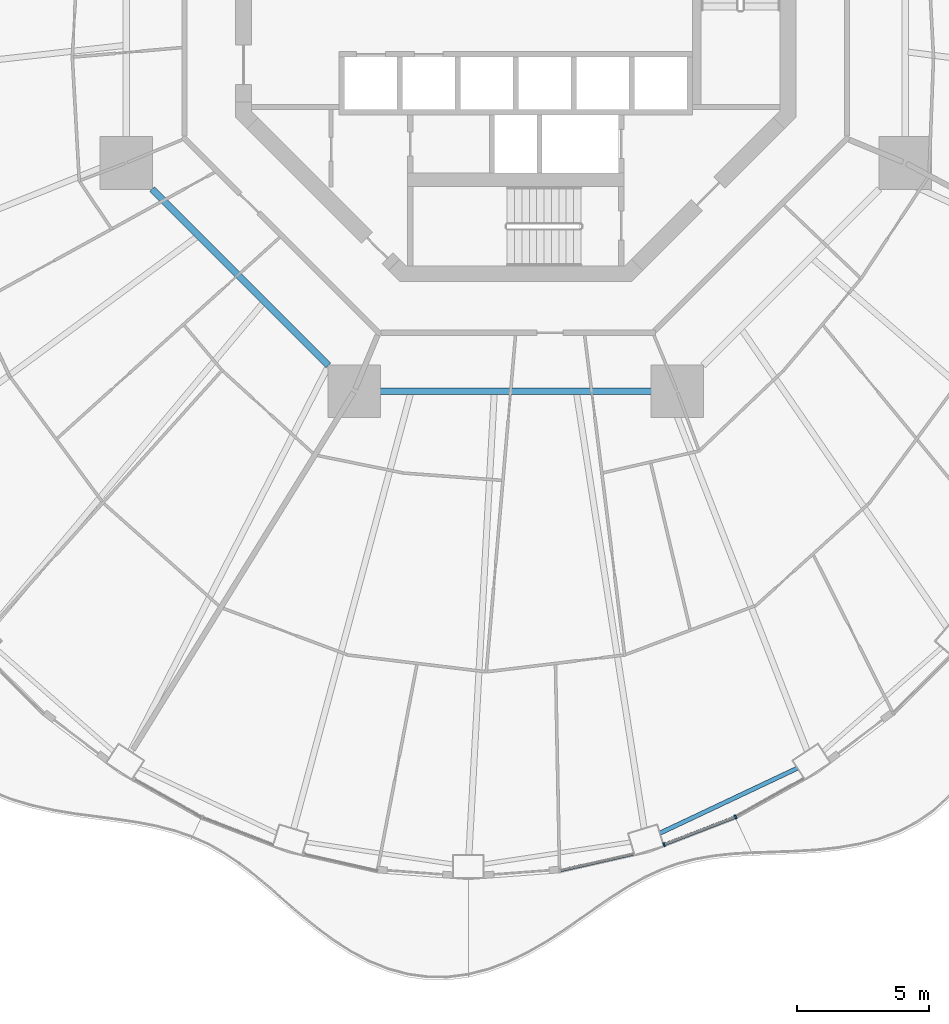
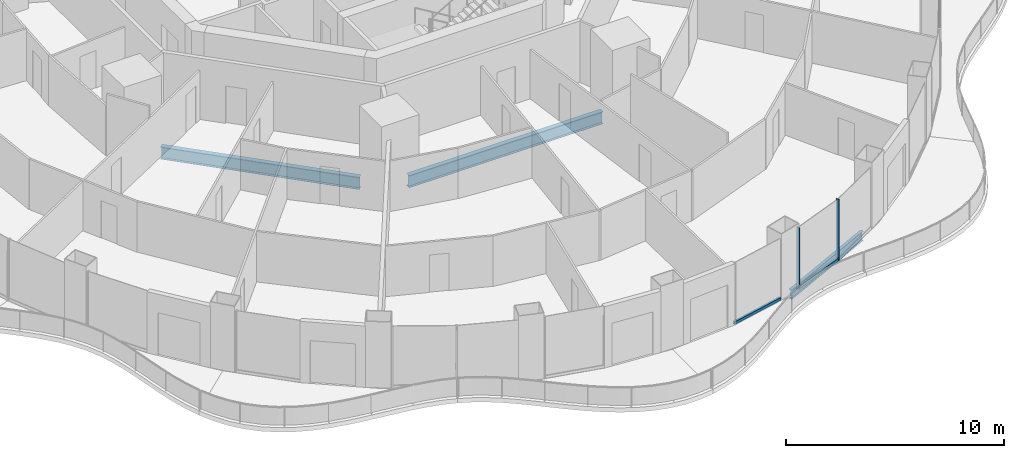
# One storey, part 5 of 21: 4 members, 3 beams, 3 elements without a shape of their own.
"""IFC4 building model written with IfcOpenShell, lengths in metres."""

from ifc_helpers import new_model, si_unit, direction, frame, origin, origin_2d, place, context, subcontext, project, spatial, rectangle, i_section, extrude, material, layer, layer_set, material_profile, profile_set, type_object, element, aggregate, save


model = new_model("IFC4")

# Units and contexts
model_context = context("Model", 3, precision=1e-05, world=origin(), true_north=direction((0.0, 1.0)))
body_context = subcontext(model_context, "Body", "Model", "MODEL_VIEW")
ifc_project = project(units=[si_unit("LENGTHUNIT", "METRE"), si_unit("AREAUNIT", "SQUARE_METRE"), si_unit("VOLUMEUNIT", "CUBIC_METRE"), si_unit("PLANEANGLEUNIT", "RADIAN"), si_unit("MASSUNIT", "GRAM", prefix="KILO")], contexts=[model_context])

# Site, building, storey
site_placement = place(None, origin())
site = spatial("IfcSite", under=ifc_project, at=site_placement, CompositionType="ELEMENT")
building_placement = place(site_placement, origin())
building = spatial("IfcBuilding", under=site, at=building_placement, Name="Nagisa Residences", CompositionType="ELEMENT")
storey_placement = place(building_placement, frame((0.0, 0.0, 138.10009765625)))
storey = spatial("IfcBuildingStorey", under=building, at=storey_placement, Name="L34", CompositionType="ELEMENT", Elevation=138.10009765625)

# Curtain wall, member
ifc_material_1 = material(Name="Concrete-coloured aluminium curtain wall system", Category="concrete")
ifc_layer = layer(ifc_material_1, 0.159912109375)
ifc_layer_set = layer_set([ifc_layer], Name="CW1 CURTAIN WALL")
curtain_wall_type = type_object("IfcCurtainWallType", Name="CW1 CURTAIN WALL", PredefinedType="NOTDEFINED", material=ifc_layer_set)
curtain_wall_1_placement = place(storey_placement, origin())
curtain_wall_1 = element("IfcCurtainWall", 1, at=curtain_wall_1_placement, inside=storey, type_object=curtain_wall_type, Name="cw:CW1:L34:38", PredefinedType="NOTDEFINED")
ifc_material_2 = material(Name="Concrete-coloured aluminium", Category="concrete")
ifc_material_profile_1 = material_profile(ifc_material_2, rectangle(XDim=0.159912109375, YDim=0.06005859375, at=origin_2d()), Name="CW1 MULLION 160x60")
ifc_profile_set_1 = profile_set([ifc_material_profile_1], Name="Concrete-coloured aluminium")
member_type_1 = type_object("IfcMemberType", Name="CW1 MULLION 160x60", PredefinedType="MULLION", material=ifc_profile_set_1)
member_1_placement = place(storey_placement, frame((5.626708984375, -31.982177734375, 0.0), z_axis=(0.0, 0.0, 1.0), x_axis=(-0.360327770268, 0.932825759707, 0.0)))
member_1 = element("IfcMember", 2, at=member_1_placement, type_object=member_type_1, Name="CW1 mullion", PredefinedType="MULLION", context=body_context, shape_type="SweptSolid", body=[
    extrude(rectangle(XDim=0.159912109375, YDim=0.06005859375, at=origin_2d()), origin(), (0.0, 0.0, 1.0), 3.43994140625),
])

curtain_wall_2_placement = place(storey_placement, origin())
curtain_wall_2 = element("IfcCurtainWall", 3, at=curtain_wall_2_placement, inside=storey, type_object=curtain_wall_type, Name="cw:CW1:L34:39", PredefinedType="NOTDEFINED")
member_2_placement = place(storey_placement, frame((8.341552734375, -30.9296875, 0.0), z_axis=(0.0, 0.0, 1.0), x_axis=(-0.489376918501, 0.872072377523, 0.0)))
member_2 = element("IfcMember", 4, at=member_2_placement, type_object=member_type_1, Name="CW1 mullion", PredefinedType="MULLION", context=body_context, shape_type="SweptSolid", body=[
    extrude(rectangle(XDim=0.159912109375, YDim=0.06005859375, at=origin_2d()), origin(), (0.0, 0.0, 1.0), 3.43994140625),
])
aggregate(curtain_wall_2, [member_2])

curtain_wall_3_placement = place(storey_placement, origin())
curtain_wall_3 = element("IfcCurtainWall", 5, at=curtain_wall_3_placement, inside=storey, type_object=curtain_wall_type, Name="cw:CW1:L34:37", PredefinedType="NOTDEFINED")
ifc_material_3 = material(Name="Concrete-coloured aluminium", Category="concrete")
ifc_material_profile_2 = material_profile(ifc_material_3, rectangle(XDim=0.1201171875, YDim=0.14990234375, at=origin_2d()), Name="CW1 TRANSOM 120x150")
ifc_profile_set_2 = profile_set([ifc_material_profile_2], Name="Concrete-coloured aluminium")
member_type_2 = type_object("IfcMemberType", Name="CW1 TRANSOM 120x150", PredefinedType="USERDEFINED", material=ifc_profile_set_2)
member_3_placement = place(storey_placement, frame((1.645751953125, -32.976318359375, 0.074951171875), z_axis=(0.975320849653, 0.220792301117, 0.0), x_axis=(-0.220792301117, 0.975320849653, 0.0)))
member_3 = element("IfcMember", 6, at=member_3_placement, type_object=member_type_2, Name="CW1 transom", ObjectType="TRANSOM", PredefinedType="USERDEFINED", context=body_context, shape_type="SweptSolid", body=[
    extrude(rectangle(XDim=0.1201171875, YDim=0.14990234375, at=origin_2d()), origin(), (0.0, 0.0, 1.0), 2.890380859375),
])
aggregate(curtain_wall_3, [member_3])

# Member
member_4_placement = place(storey_placement, frame((5.5986328125, -31.992919921875, 0.074951171875), z_axis=(0.932845344347, 0.360277064952, 0.0), x_axis=(-0.360277064952, 0.932845344347, 0.0)))
member_4 = element("IfcMember", 7, at=member_4_placement, type_object=member_type_2, Name="CW1 transom", ObjectType="TRANSOM", PredefinedType="USERDEFINED", context=body_context, shape_type="SweptSolid", body=[
    extrude(rectangle(XDim=0.1201171875, YDim=0.14990234375, at=origin_2d()), origin(), (0.0, 0.0, 1.0), 2.92333984375),
])

aggregate(curtain_wall_1, [member_1, member_4])

# Beams
ifc_material_4 = material(Name="Steel ASTM A572 Gr 50", Category="steel")
ifc_material_profile_3 = material_profile(ifc_material_4, i_section(OverallWidth=0.25390625, OverallDepth=0.68408203125, WebThickness=0.012451171875, FlangeThickness=0.018798828125, at=origin_2d()), Name="W690x140")
ifc_profile_set_3 = profile_set([ifc_material_profile_3], Name="Steel ASTM A572 Gr 50")
beam_type_1 = type_object("IfcBeamType", Name="Inner ring beam W690x140", PredefinedType="BEAM", material=ifc_profile_set_3)
beam_1_placement = place(storey_placement, frame((-13.796142578125, -7.10888671875, -0.60205078125), z_axis=(0.707106781187, -0.707106781187, 0.0), x_axis=(0.707106781187, 0.707106781187, 0.0)))
element("IfcBeam", 8, at=beam_1_placement, inside=storey, type_object=beam_type_1, Name="beam:L34:ib5", PredefinedType="BEAM", context=body_context, shape_type="SweptSolid", body=[
    extrude(i_section(OverallWidth=0.25390625, OverallDepth=0.68408203125, WebThickness=0.012451171875, FlangeThickness=0.018798828125, at=origin_2d()), origin(), (0.0, 0.0, 1.0), 9.457275390625),
])
beam_2_placement = place(storey_placement, frame((-5.142822265625, -14.781982421875, -0.60205078125), z_axis=(1.0, 0.0, 0.0), x_axis=(0.0, 1.0, 0.0)))
element("IfcBeam", 9, at=beam_2_placement, inside=storey, type_object=beam_type_1, Name="beam:L34:ib6", PredefinedType="BEAM", context=body_context, shape_type="SweptSolid", body=[
    extrude(i_section(OverallWidth=0.25390625, OverallDepth=0.68408203125, WebThickness=0.012451171875, FlangeThickness=0.018798828125, at=origin_2d()), origin(), (0.0, 0.0, 1.0), 10.28564453125),
])
ifc_material_5 = material(Name="Steel ASTM A572 Gr 50", Category="steel")
ifc_material_profile_4 = material_profile(ifc_material_5, i_section(OverallWidth=0.166015625, OverallDepth=0.534912109375, WebThickness=0.01025390625, FlangeThickness=0.0166015625, at=origin_2d()), Name="W530x85")
ifc_profile_set_4 = profile_set([ifc_material_profile_4], Name="Steel ASTM A572 Gr 50")
beam_type_2 = type_object("IfcBeamType", Name="Perimeter ring beam W530x85", PredefinedType="BEAM", material=ifc_profile_set_4)
beam_3_placement = place(storey_placement, frame((5.468505859375, -31.55029296875, -0.527587890625), z_axis=(0.904186034847, 0.427138870143, 0.0), x_axis=(-0.427138870143, 0.904186034847, 0.0)))
element("IfcBeam", 10, at=beam_3_placement, inside=storey, type_object=beam_type_2, Name="beam:L34:pb20", PredefinedType="BEAM", context=body_context, shape_type="SweptSolid", body=[
    extrude(i_section(OverallWidth=0.166015625, OverallDepth=0.534912109375, WebThickness=0.01025390625, FlangeThickness=0.0166015625, at=origin_2d()), origin(), (0.0, 0.0, 1.0), 5.772216796875),
])

save(model, "model.ifc")
